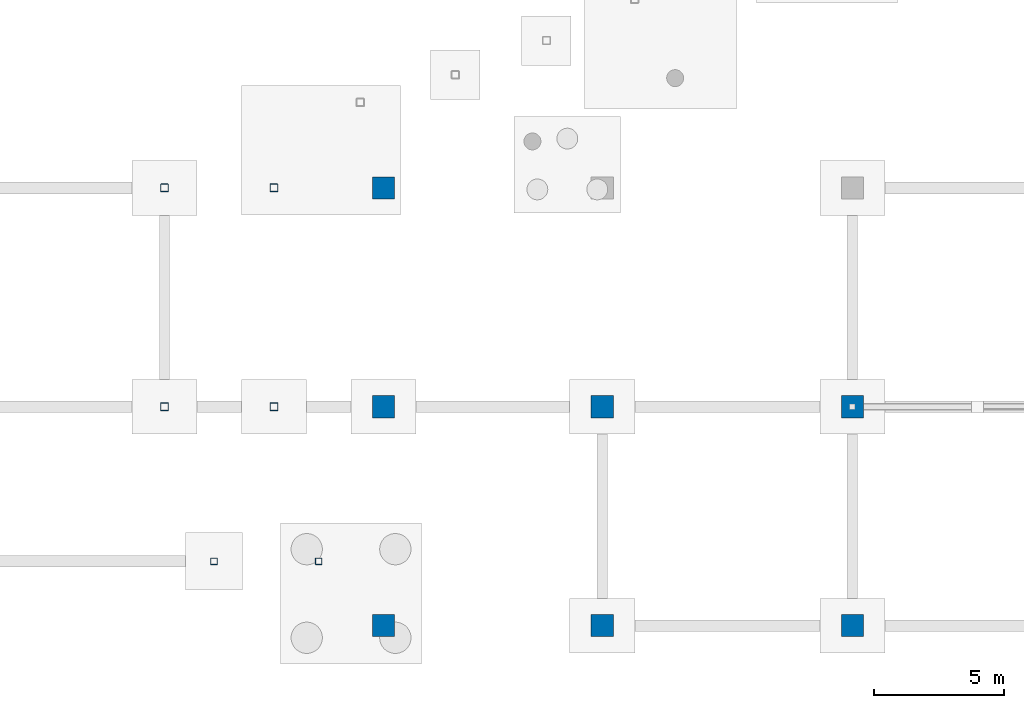
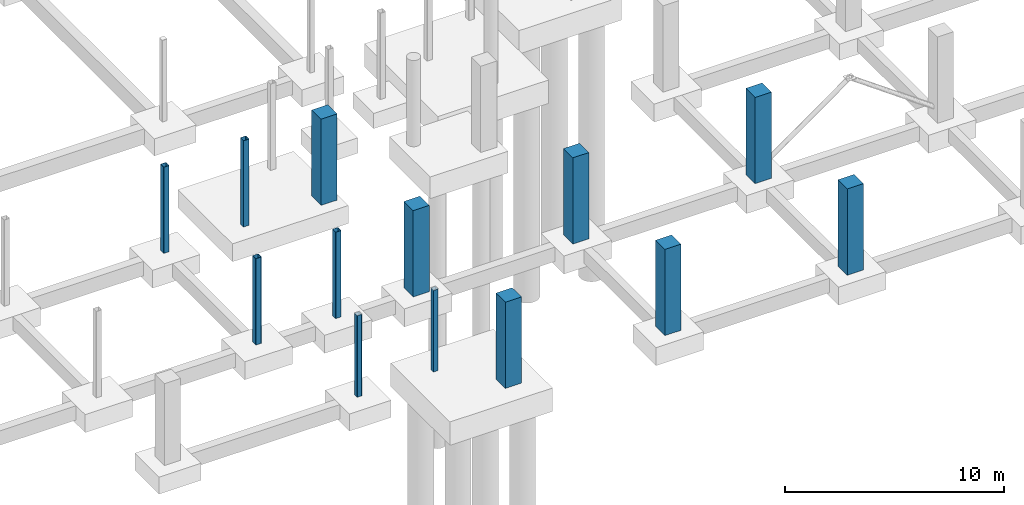
# One storey, part 13 of 44: 13 columns.
"""IFC4 building model written with IfcOpenShell, lengths in metres."""

from ifc_helpers import new_model, si_unit, direction, frame, origin, origin_2d, place, context, subcontext, project, spatial, rectangle, hollow_rectangle, extrude, material, material_profile, profile_set, type_object, element, save


model = new_model("IFC4")

# Units and contexts
model_context = context("Model", 3, precision=1e-05, world=origin(), true_north=direction((0.0, 1.0)))
body_context = subcontext(model_context, "Body", "Model", "MODEL_VIEW")
ifc_project = project(units=[si_unit("LENGTHUNIT", "METRE"), si_unit("AREAUNIT", "SQUARE_METRE"), si_unit("VOLUMEUNIT", "CUBIC_METRE"), si_unit("PLANEANGLEUNIT", "RADIAN"), si_unit("MASSUNIT", "GRAM", prefix="KILO")], contexts=[model_context])

# Site, building, storey
site_placement = place(None, origin())
site = spatial("IfcSite", under=ifc_project, at=site_placement, CompositionType="ELEMENT")
building_placement = place(site_placement, origin())
building = spatial("IfcBuilding", under=site, at=building_placement, Name="Kisaragi Civic Commons", CompositionType="ELEMENT")
storey_placement = place(building_placement, frame((0.0, 0.0, -4.800048828125)))
storey = spatial("IfcBuildingStorey", under=building, at=storey_placement, Name="B1", CompositionType="ELEMENT", Elevation=-4.800048828125)

# Columns
ifc_material_1 = material(Name="Concrete Fc36", Category="concrete")
ifc_material_profile_1 = material_profile(ifc_material_1, rectangle(XDim=0.85009765625, YDim=0.85009765625, at=origin_2d()), Name="RC-850x850", Category="concrete")
ifc_profile_set_1 = profile_set([ifc_material_profile_1], Name="Concrete Fc36")
column_type_1 = type_object("IfcColumnType", Name="C-01", PredefinedType="COLUMN", material=ifc_profile_set_1)
for number, where, z_axis, x_axis, name in (
    (1, (114.0, 8.39990234375, 0.0), (0.0, 0.0, 1.0), (1.0, 0.0, 0.0), "B1 column C-01 (114.0,8.4)"),
    (2, (123.60009765625, 8.39990234375, 0.0), (0.0, 0.0, 1.0), (1.0, 0.0, 0.0), "B1 column C-01 (123.6,8.4)"),
):
    element("IfcColumn", number, at=place(storey_placement, frame(where, z_axis=z_axis, x_axis=x_axis)), inside=storey, type_object=column_type_1, Name=name, PredefinedType="COLUMN", context=body_context, shape_type="SweptSolid", body=[
        extrude(rectangle(XDim=0.85009765625, YDim=0.85009765625, at=origin_2d()), origin(), (0.0, 0.0, 1.0), 4.800048828125),
    ])
ifc_material_profile_2 = material_profile(ifc_material_1, rectangle(XDim=0.85009765625, YDim=0.85009765625, at=origin_2d()), Name="RC-850x850", Category="concrete")
ifc_profile_set_2 = profile_set([ifc_material_profile_2], Name="Concrete Fc36")
column_type_2 = type_object("IfcColumnType", Name="C-05", PredefinedType="COLUMN", material=ifc_profile_set_2)
for number, where, z_axis, x_axis, name in (
    (3, (105.60009765625, 0.0, 0.0), (0.0, 0.0, 1.0), (1.0, 0.0, 0.0), "B1 column C-05 (105.6,0.0)"),
    (4, (105.60009765625, 8.39990234375, 0.0), (0.0, 0.0, 1.0), (1.0, 0.0, 0.0), "B1 column C-05 (105.6,8.4)"),
    (5, (105.60009765625, 16.800048828125, 0.0), (0.0, 0.0, 1.0), (1.0, 0.0, 0.0), "B1 column C-05 (105.6,16.8)"),
    (6, (114.0, 0.0, 0.0), (0.0, 0.0, 1.0), (1.0, 0.0, 0.0), "B1 column C-05 (114.0,0.0)"),
    (7, (123.60009765625, 0.0, 0.0), (0.0, 0.0, 1.0), (1.0, 0.0, 0.0), "B1 column C-05 (123.6,0.0)"),
):
    element("IfcColumn", number, at=place(storey_placement, frame(where, z_axis=z_axis, x_axis=x_axis)), inside=storey, type_object=column_type_2, Name=name, PredefinedType="COLUMN", context=body_context, shape_type="SweptSolid", body=[
        extrude(rectangle(XDim=0.85009765625, YDim=0.85009765625, at=origin_2d()), origin(), (0.0, 0.0, 1.0), 4.800048828125),
    ])
ifc_material_2 = material(Name="Steel BCR295", Category="steel")
ifc_material_profile_3 = material_profile(ifc_material_2, hollow_rectangle(XDim=0.300048828125, YDim=0.300048828125, WallThickness=0.011962890625, InnerFilletRadius=0.011962890625, OuterFilletRadius=0.02392578125, at=origin_2d()), Name="BCR-300x300x12", Category="steel")
ifc_profile_set_3 = profile_set([ifc_material_profile_3], Name="Steel BCR295")
column_type_3 = type_object("IfcColumnType", Name="C-14", PredefinedType="COLUMN", material=ifc_profile_set_3)
for number, where, z_axis, x_axis, name in (
    (8, (97.199951171875, 8.39990234375, 0.0), (0.0, 0.0, 1.0), (1.0, 0.0, 0.0), "B1 column C-14 (97.2,8.4)"),
    (9, (97.199951171875, 16.800048828125, 0.0), (0.0, 0.0, 1.0), (1.0, 0.0, 0.0), "B1 column C-14 (97.2,16.8)"),
    (10, (101.39990234375, 8.39990234375, 0.0), (0.0, 0.0, 1.0), (1.0, 0.0, 0.0), "B1 column C-14 (101.4,8.4)"),
    (11, (101.39990234375, 16.800048828125, 0.0), (0.0, 0.0, 1.0), (1.0, 0.0, 0.0), "B1 column C-14 (101.4,16.8)"),
):
    element("IfcColumn", number, at=place(storey_placement, frame(where, z_axis=z_axis, x_axis=x_axis)), inside=storey, type_object=column_type_3, Name=name, PredefinedType="COLUMN", context=body_context, shape_type="SweptSolid", body=[
        extrude(hollow_rectangle(XDim=0.300048828125, YDim=0.300048828125, WallThickness=0.011962890625, InnerFilletRadius=0.011962890625, OuterFilletRadius=0.02392578125, at=origin_2d()), origin(), (0.0, 0.0, 1.0), 4.800048828125),
    ])
ifc_material_profile_4 = material_profile(ifc_material_2, hollow_rectangle(XDim=0.25, YDim=0.25, WallThickness=0.009033203125, InnerFilletRadius=0.009033203125, OuterFilletRadius=0.01806640625, at=origin_2d()), Name="BCR-250x250x9", Category="steel")
ifc_profile_set_4 = profile_set([ifc_material_profile_4], Name="Steel BCR295")
column_type_4 = type_object("IfcColumnType", Name="C-26", PredefinedType="COLUMN", material=ifc_profile_set_4)
for number, where, z_axis, x_axis, name in (
    (12, (99.100341796875, 2.467041015625, 0.0), (0.0, 0.0, 1.0), (1.0, 0.0, 0.0), "B1 column C-26 (99.1,2.5)"),
    (13, (103.11962890625, 2.467041015625, 0.0), (0.0, 0.0, 1.0), (1.0, 0.0, 0.0), "B1 column C-26 (103.1,2.5)"),
):
    element("IfcColumn", number, at=place(storey_placement, frame(where, z_axis=z_axis, x_axis=x_axis)), inside=storey, type_object=column_type_4, Name=name, PredefinedType="COLUMN", context=body_context, shape_type="SweptSolid", body=[
        extrude(hollow_rectangle(XDim=0.25, YDim=0.25, WallThickness=0.009033203125, InnerFilletRadius=0.009033203125, OuterFilletRadius=0.01806640625, at=origin_2d()), origin(), (0.0, 0.0, 1.0), 4.5390625),
    ])

save(model, "model.ifc")
